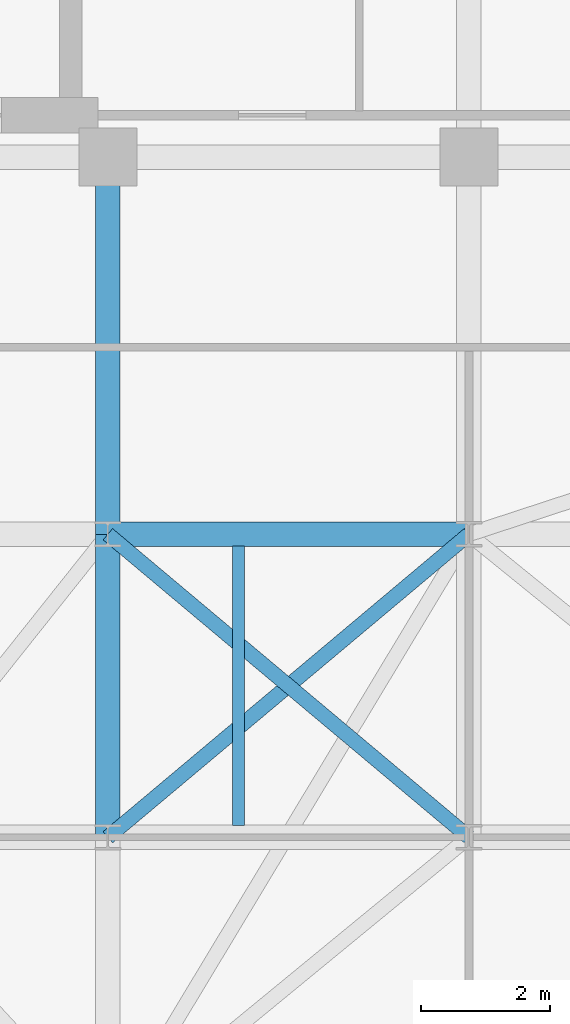
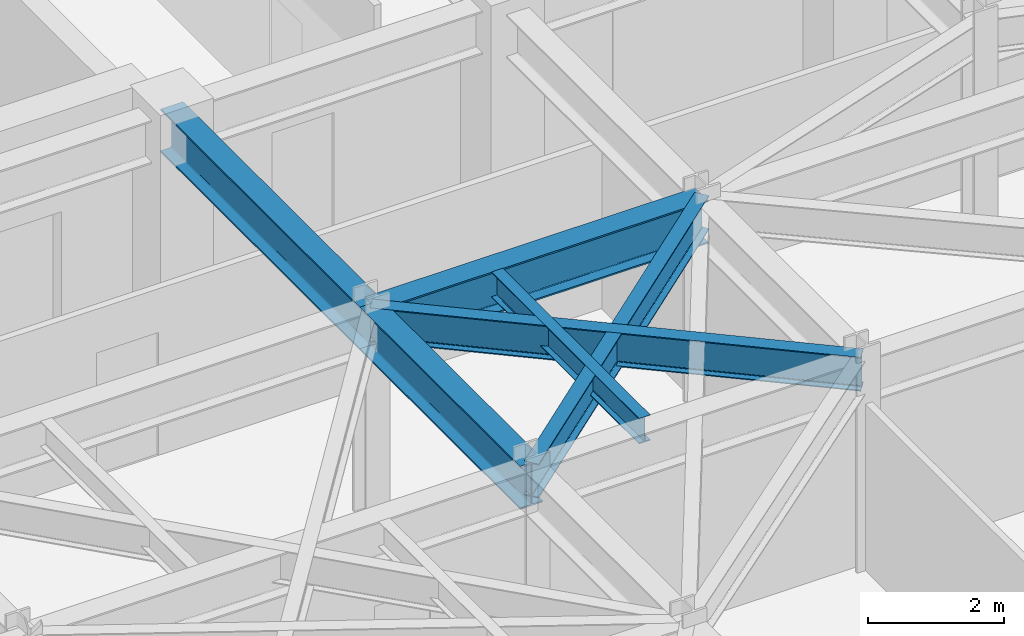
# One storey, part 11 of 26: 6 beams.
"""IFC4 building model written with IfcOpenShell, lengths in metres."""

from ifc_helpers import new_model, si_unit, direction, frame, origin, origin_2d, place, context, subcontext, project, spatial, i_section, extrude, material, material_profile, profile_set, type_object, element, save


model = new_model("IFC4")

# Units and contexts
model_context = context("Model", 3, precision=1e-05, world=origin(), true_north=direction((0.0, 1.0)))
body_context = subcontext(model_context, "Body", "Model", "MODEL_VIEW")
ifc_project = project(units=[si_unit("LENGTHUNIT", "METRE"), si_unit("AREAUNIT", "SQUARE_METRE"), si_unit("VOLUMEUNIT", "CUBIC_METRE"), si_unit("PLANEANGLEUNIT", "RADIAN"), si_unit("MASSUNIT", "GRAM", prefix="KILO")], contexts=[model_context])

# Site, building, storey
site_placement = place(None, origin())
site = spatial("IfcSite", under=ifc_project, at=site_placement, CompositionType="ELEMENT")
building_placement = place(site_placement, origin())
building = spatial("IfcBuilding", under=site, at=building_placement, Name="Kravanh Interchange Tower", CompositionType="ELEMENT")
storey_placement = place(building_placement, frame((0.0, 0.0, 204.5)))
storey = spatial("IfcBuildingStorey", under=building, at=storey_placement, Name="L49", CompositionType="ELEMENT", Elevation=204.5)

# Beams
ifc_material_1 = material(Name="Structural Steel S355", Category="steel")
ifc_material_profile_1 = material_profile(ifc_material_1, i_section(OverallWidth=0.381103515625, OverallDepth=0.77294921875, WebThickness=0.0166015625, FlangeThickness=0.027099609375, FilletRadius=0.02490234375, at=origin_2d()), Name="W30X173")
ifc_profile_set_1 = profile_set([ifc_material_profile_1], Name="Structural Steel S355")
beam_type_1 = type_object("IfcBeamType", Name="Floor Beam W30X173 Structural Steel S355", PredefinedType="BEAM", material=ifc_profile_set_1)
beam_1_placement = place(storey_placement, frame((27.199951171875, 37.35009765625, 3.368408203125), z_axis=(0.0, -1.0, 0.0), x_axis=(1.0, 0.0, 0.0)))
element("IfcBeam", 1, at=beam_1_placement, inside=storey, type_object=beam_type_1, Name="L49 Primary Floor Girder 24", PredefinedType="BEAM", context=body_context, shape_type="SweptSolid", body=[
    extrude(i_section(OverallWidth=0.381103515625, OverallDepth=0.77294921875, WebThickness=0.0166015625, FlangeThickness=0.027099609375, FilletRadius=0.02490234375, at=origin_2d()), origin(), (0.0, 0.0, 1.0), 5.85009765625),
])
beam_2_placement = place(storey_placement, frame((27.199951171875, 26.800048828125, 3.368408203125), z_axis=(0.0, 1.0, 0.0), x_axis=(-1.0, 0.0, 0.0)))
element("IfcBeam", 2, at=beam_2_placement, inside=storey, type_object=beam_type_1, Name="L49 Primary Floor Girder 38", PredefinedType="BEAM", context=body_context, shape_type="SweptSolid", body=[
    extrude(i_section(OverallWidth=0.381103515625, OverallDepth=0.77294921875, WebThickness=0.0166015625, FlangeThickness=0.027099609375, FilletRadius=0.02490234375, at=origin_2d()), origin(), (0.0, 0.0, 1.0), 4.699951171875),
])
beam_3_placement = place(storey_placement, frame((27.199951171875, 31.5, 3.368408203125), z_axis=(1.0, 0.0, 0.0), x_axis=(0.0, 1.0, 0.0)))
element("IfcBeam", 3, at=beam_3_placement, inside=storey, type_object=beam_type_1, Name="L49 Primary Floor Girder 64", PredefinedType="BEAM", context=body_context, shape_type="SweptSolid", body=[
    extrude(i_section(OverallWidth=0.381103515625, OverallDepth=0.77294921875, WebThickness=0.0166015625, FlangeThickness=0.027099609375, FilletRadius=0.02490234375, at=origin_2d()), origin(), (0.0, 0.0, 1.0), 5.60009765625),
])
ifc_material_2 = material(Name="Structural Steel S355", Category="steel")
ifc_material_profile_2 = material_profile(ifc_material_2, i_section(OverallWidth=0.18994140625, OverallDepth=0.45703125, WebThickness=0.009033203125, FlangeThickness=0.014404296875, FilletRadius=0.01806640625, at=origin_2d()), Name="W18X50")
ifc_profile_set_2 = profile_set([ifc_material_profile_2], Name="Structural Steel S355")
beam_type_2 = type_object("IfcBeamType", Name="Floor Joist W18X50 Structural Steel S355", PredefinedType="JOIST", material=ifc_profile_set_2)
beam_4_placement = place(storey_placement, frame((29.22607421875, 26.985595703125, 3.526611328125), z_axis=(0.0, 1.0, 0.0), x_axis=(-1.0, 0.0, 0.0)))
element("IfcBeam", 4, at=beam_4_placement, inside=storey, type_object=beam_type_2, Name="L49 Secondary Floor Joist 11", PredefinedType="JOIST", context=body_context, shape_type="SweptSolid", body=[
    extrude(i_section(OverallWidth=0.18994140625, OverallDepth=0.45703125, WebThickness=0.009033203125, FlangeThickness=0.014404296875, FilletRadius=0.01806640625, at=origin_2d()), origin(), (0.0, 0.0, 1.0), 4.328857421875),
])
ifc_material_3 = material(Name="Structural Steel S355", Category="steel")
ifc_material_profile_3 = material_profile(ifc_material_3, i_section(OverallWidth=0.22802734375, OverallDepth=0.60791015625, WebThickness=0.01123046875, FlangeThickness=0.017333984375, FilletRadius=0.02197265625, at=origin_2d()), Name="W24X76")
ifc_profile_set_3 = profile_set([ifc_material_profile_3], Name="Structural Steel S355")
beam_type_3 = type_object("IfcBeamType", Name="Floor Spandrel W24X76 Structural Steel S355", PredefinedType="SPANDREL", material=ifc_profile_set_3)
for number, where, z_axis, x_axis, name in (
    (5, (27.199951171875, 26.800048828125, 3.450927734375), (0.765983062929, 0.642860752657, 0.0), (-0.642860752657, 0.765983062929, 0.0), "L49 Perimeter Spandrel 40"),
    (6, (32.800048828125, 26.800048828125, 3.450927734375), (-0.765983062929, 0.642860752657, 0.0), (-0.642860752657, -0.765983062929, 0.0), "L49 Perimeter Spandrel 44"),
):
    element("IfcBeam", number, at=place(storey_placement, frame(where, z_axis=z_axis, x_axis=x_axis)), inside=storey, type_object=beam_type_3, Name=name, PredefinedType="SPANDREL", context=body_context, shape_type="SweptSolid", body=[
        extrude(i_section(OverallWidth=0.22802734375, OverallDepth=0.60791015625, WebThickness=0.01123046875, FlangeThickness=0.017333984375, FilletRadius=0.02197265625, at=origin_2d()), origin(), (0.0, 0.0, 1.0), 7.31103515625),
    ])

save(model, "model.ifc")
